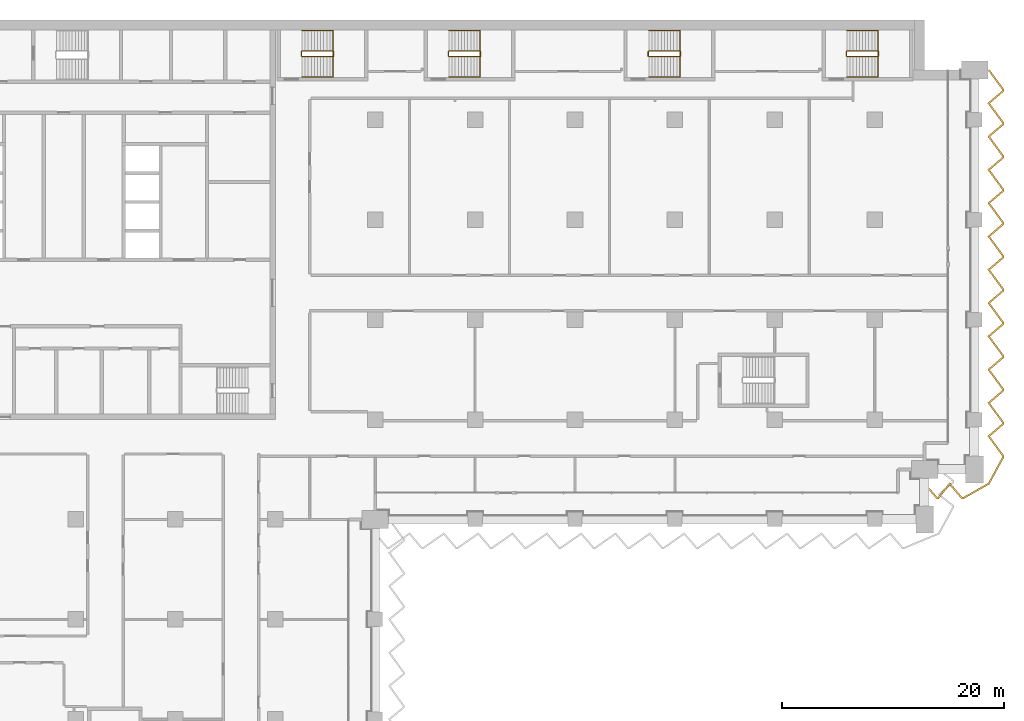
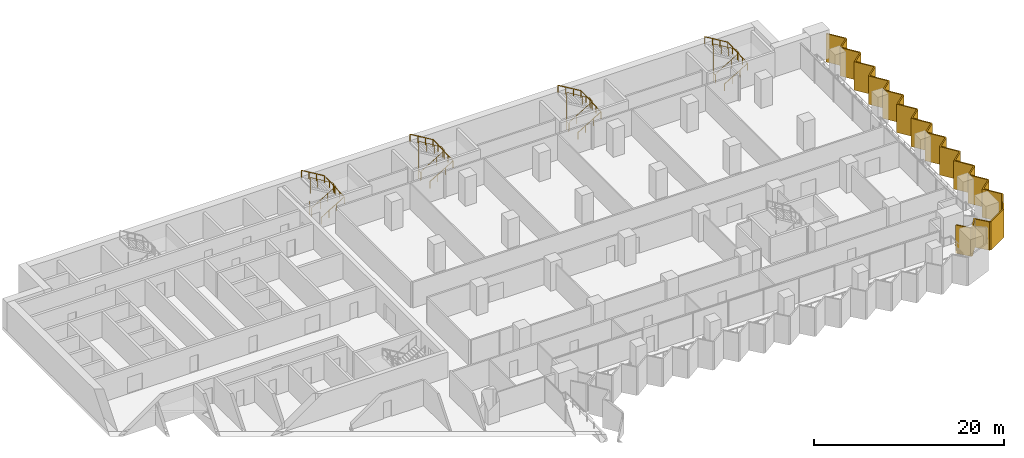
# One storey, part 28 of 29: 8 railings, 1 shading device.
"""IFC4 building model written with IfcOpenShell, lengths in metres."""

from ifc_helpers import new_model, si_unit, direction, frame, origin, origin_2d, place, context, subcontext, project, spatial, polyline, circle, outline, extrude, material, layer, layer_set, type_object, element, save


model = new_model("IFC4")

# Units and contexts
model_context = context("Model", 3, precision=1e-05, world=origin(), true_north=direction((0.0, 1.0)))
body_context = subcontext(model_context, "Body", "Model", "MODEL_VIEW")
ifc_project = project(units=[si_unit("LENGTHUNIT", "METRE"), si_unit("AREAUNIT", "SQUARE_METRE"), si_unit("VOLUMEUNIT", "CUBIC_METRE"), si_unit("PLANEANGLEUNIT", "RADIAN"), si_unit("MASSUNIT", "GRAM", prefix="KILO")], contexts=[model_context])

# Site, building, storey
site_placement = place(None, origin())
site = spatial("IfcSite", under=ifc_project, at=site_placement, CompositionType="ELEMENT")
building_placement = place(site_placement, origin())
building = spatial("IfcBuilding", under=site, at=building_placement, Name="Hunhe Ridgeline Campus", CompositionType="ELEMENT")
storey_placement = place(building_placement, frame((0.0, 0.0, 54.300048828125)))
storey = spatial("IfcBuildingStorey", under=building, at=storey_placement, Name="L12", CompositionType="ELEMENT", Elevation=54.300048828125)

# Shading device
ifc_material_1 = material(Name="Concrete C50", Category="concrete")
ifc_layer = layer(ifc_material_1, 0.14990234375)
ifc_layer_set = layer_set([ifc_layer], Name="Sawtooth concrete fin 150 Concrete C50")
shading_device_type = type_object("IfcShadingDeviceType", Name="Sawtooth concrete fin 150 Concrete C50", PredefinedType="USERDEFINED", material=ifc_layer_set)
shading_device_placement = place(storey_placement, frame((0.0, 0.0, -0.949951171875)))
element("IfcShadingDevice", 1, at=shading_device_placement, inside=storey, type_object=shading_device_type, Name="Concrete fin screen 3", ObjectType="FIN", PredefinedType="USERDEFINED", context=body_context, shape_type="SweptSolid", body=[
    extrude(outline(polyline([(94.55712890625, 57.273681640625), (94.44287109375, 57.17626953125), (95.57470703125, 55.85009765625), (95.765869140625, 55.85009765625), (96.75244140625, 57.106689453125), (97.82470703125, 55.85009765625), (97.9990234375, 55.85009765625), (100.33056640625, 57.17041015625), (101.64990234375, 59.590087890625), (101.64990234375, 59.75390625), (100.376708984375, 61.48828125), (101.64990234375, 62.57470703125), (101.64990234375, 62.75390625), (100.376708984375, 64.48828125), (101.64990234375, 65.57470703125), (101.64990234375, 65.75390625), (100.376708984375, 67.48828125), (101.64990234375, 68.57470703125), (101.64990234375, 68.75390625), (100.376708984375, 70.48828125), (101.64990234375, 71.57470703125), (101.64990234375, 71.75390625), (100.376708984375, 73.48828125), (101.64990234375, 74.57470703125), (101.64990234375, 74.75390625), (100.376708984375, 76.48828125), (101.64990234375, 77.57470703125), (101.64990234375, 77.75390625), (100.376708984375, 79.48828125), (101.64990234375, 80.57470703125), (101.64990234375, 80.75390625), (100.376708984375, 82.48828125), (101.64990234375, 83.57470703125), (101.64990234375, 83.75390625), (100.376708984375, 85.48828125), (101.64990234375, 86.57470703125), (101.64990234375, 86.75390625), (100.376708984375, 88.48828125), (101.64990234375, 89.57470703125), (101.64990234375, 89.75390625), (100.376708984375, 91.48828125), (101.64990234375, 92.57470703125), (101.64990234375, 92.75390625), (100.33544921875, 94.54443359375), (100.214599609375, 94.45556640625), (101.5, 92.704833984375), (101.5, 92.643798828125), (100.17333984375, 91.51171875), (101.5, 89.704833984375), (101.5, 89.643798828125), (100.17333984375, 88.51171875), (101.5, 86.704833984375), (101.5, 86.643798828125), (100.17333984375, 85.51171875), (101.5, 83.704833984375), (101.5, 83.643798828125), (100.17333984375, 82.51171875), (101.5, 80.704833984375), (101.5, 80.643798828125), (100.17333984375, 79.51171875), (101.5, 77.704833984375), (101.5, 77.643798828125), (100.17333984375, 76.51171875), (101.5, 74.704833984375), (101.5, 74.643798828125), (100.17333984375, 73.51171875), (101.5, 71.704833984375), (101.5, 71.643798828125), (100.17333984375, 70.51171875), (101.5, 68.704833984375), (101.5, 68.643798828125), (100.17333984375, 67.51171875), (101.5, 65.704833984375), (101.5, 65.643798828125), (100.17333984375, 64.51171875), (101.5, 62.704833984375), (101.5, 62.643798828125), (100.17333984375, 61.51171875), (101.5, 59.704833984375), (101.5, 59.62841796875), (100.219482421875, 57.27978515625), (97.95947265625, 56.0), (97.893798828125, 56.0), (96.74755859375, 57.34326171875), (95.69287109375, 56.0), (95.643798828125, 56.0), (94.55712890625, 57.273681640625)])), origin(), (0.0, 0.0, 1.0), 3.64990234375),
])

# Railings
ifc_material_2 = material(Name="Stainless steel balustrade", Category="steel")
railing_type_1 = type_object("IfcRailingType", Name="Stair guard 1100 stainless", PredefinedType="GUARDRAIL", material=ifc_material_2)
railing_1_placement = place(storey_placement, frame((38.39990234375, 95.699951171875, 0.168212890625)))
element("IfcRailing", 2, at=railing_1_placement, inside=storey, type_object=railing_type_1, Name="L12 stair E1 guard", PredefinedType="GUARDRAIL", context=body_context, shape_type="SweptSolid", body=[
    extrude(circle(Radius=0.02392578125, at=origin_2d()), frame((0.0, 0.0, 1.076171875), z_axis=(0.857275202839, 0.0, 0.514858452973), x_axis=(0.0, 1.0, 0.0)), (0.0, 0.0, 1.0), 3.26611328125),
    extrude(circle(Radius=0.02392578125, at=origin_2d()), frame((2.800048828125, 0.0, 2.7578125), z_axis=(0.707106781187, 0.707106781187, 0.0), x_axis=(-0.707106781187, 0.707106781187, 0.0)), (0.0, 0.0, 1.0), 0.07080078125),
    extrude(circle(Radius=0.02392578125, at=origin_2d()), frame((2.85009765625, 0.050048828125, 2.7578125), z_axis=(0.0, 1.0, 0.0), x_axis=(-1.0, 0.0, 0.0)), (0.0, 0.0, 1.0), 0.39990234375),
    extrude(circle(Radius=0.02392578125, at=origin_2d()), frame((2.85009765625, 0.449951171875, 2.7578125), z_axis=(-0.274243871929, 0.274243871929, 0.92172696468), x_axis=(-0.707106781187, -0.707106781187, 0.0)), (0.0, 0.0, 1.0), 0.1826171875),
    extrude(circle(Radius=0.02392578125, at=origin_2d()), frame((2.800048828125, 0.5, 2.92578125), z_axis=(-0.857242210791, 0.0, 0.514913383045), x_axis=(0.0, -1.0, 0.0)), (0.0, 0.0, 1.0), 3.266357421875),
    extrude(circle(Radius=0.02392578125, at=origin_2d()), frame((0.0, 0.5, 4.60791015625), z_axis=(-0.013458453615, -0.013524426427, -0.999817963389), x_axis=(0.708833529934, -0.705375805398, 0.0)), (0.0, 0.0, 1.0), 3.70068359375),
    extrude(circle(Radius=0.02392578125, at=origin_2d()), frame((-0.0498046875, 0.449951171875, 0.90771484375), z_axis=(0.0, -1.0, 0.0), x_axis=(1.0, 0.0, 0.0)), (0.0, 0.0, 1.0), 0.39990234375),
    extrude(circle(Radius=0.02099609375, at=origin_2d()), origin(), (0.0, 0.0, 1.0), 1.052001953125),
    extrude(circle(Radius=0.02099609375, at=origin_2d()), frame((0.933349609375, 0.0, 0.560546875)), (0.0, 0.0, 1.0), 1.052001953125),
    extrude(circle(Radius=0.02099609375, at=origin_2d()), frame((1.86669921875, 0.0, 1.12109375)), (0.0, 0.0, 1.0), 1.052001953125),
    extrude(circle(Radius=0.02099609375, at=origin_2d()), frame((2.800048828125, 0.0, 1.681640625)), (0.0, 0.0, 1.0), 1.052001953125),
    extrude(circle(Radius=0.02099609375, at=origin_2d()), frame((2.85009765625, 0.050048828125, 1.681640625)), (0.0, 0.0, 1.0), 1.052001953125),
    extrude(circle(Radius=0.02099609375, at=origin_2d()), frame((2.85009765625, 0.449951171875, 1.681640625)), (0.0, 0.0, 1.0), 1.052001953125),
    extrude(circle(Radius=0.02099609375, at=origin_2d()), frame((2.800048828125, 0.5, 1.849853515625)), (0.0, 0.0, 1.0), 1.052001953125),
    extrude(circle(Radius=0.02099609375, at=origin_2d()), frame((1.86669921875, 0.5, 2.410400390625)), (0.0, 0.0, 1.0), 1.052001953125),
    extrude(circle(Radius=0.02099609375, at=origin_2d()), frame((0.933349609375, 0.5, 2.97119140625)), (0.0, 0.0, 1.0), 1.052001953125),
    extrude(circle(Radius=0.02099609375, at=origin_2d()), frame((0.0, 0.5, 3.53173828125)), (0.0, 0.0, 1.0), 1.052001953125),
    extrude(circle(Radius=0.02099609375, at=origin_2d()), frame((-0.012451171875, 0.487548828125, 2.606689453125)), (0.0, 0.0, 1.0), 1.052001953125),
    extrude(circle(Radius=0.02099609375, at=origin_2d()), frame((-0.02490234375, 0.47509765625, 1.681640625)), (0.0, 0.0, 1.0), 1.052001953125),
    extrude(circle(Radius=0.02099609375, at=origin_2d()), frame((-0.037353515625, 0.46240234375, 0.7568359375)), (0.0, 0.0, 1.0), 1.052001953125),
    extrude(circle(Radius=0.02099609375, at=origin_2d()), frame((-0.0498046875, 0.449951171875, -0.168212890625)), (0.0, 0.0, 1.0), 1.052001953125),
    extrude(circle(Radius=0.02099609375, at=origin_2d()), frame((-0.0498046875, 0.050048828125, -0.168212890625)), (0.0, 0.0, 1.0), 1.052001953125),
])
railing_2_placement = place(storey_placement, frame((51.64990234375, 95.699951171875, 0.168212890625)))
element("IfcRailing", 3, at=railing_2_placement, inside=storey, type_object=railing_type_1, Name="L12 stair E2 guard", PredefinedType="GUARDRAIL", context=body_context, shape_type="SweptSolid", body=[
    extrude(circle(Radius=0.02392578125, at=origin_2d()), frame((0.0, 0.0, 1.076171875), z_axis=(0.857275202839, 0.0, 0.514858452973), x_axis=(0.0, 1.0, 0.0)), (0.0, 0.0, 1.0), 3.26611328125),
    extrude(circle(Radius=0.02392578125, at=origin_2d()), frame((2.800048828125, 0.0, 2.7578125), z_axis=(0.707106781187, 0.707106781187, 0.0), x_axis=(-0.707106781187, 0.707106781187, 0.0)), (0.0, 0.0, 1.0), 0.07080078125),
    extrude(circle(Radius=0.02392578125, at=origin_2d()), frame((2.85009765625, 0.050048828125, 2.7578125), z_axis=(0.0, 1.0, 0.0), x_axis=(-1.0, 0.0, 0.0)), (0.0, 0.0, 1.0), 0.39990234375),
    extrude(circle(Radius=0.02392578125, at=origin_2d()), frame((2.85009765625, 0.449951171875, 2.7578125), z_axis=(-0.274243871929, 0.274243871929, 0.92172696468), x_axis=(-0.707106781187, -0.707106781187, 0.0)), (0.0, 0.0, 1.0), 0.1826171875),
    extrude(circle(Radius=0.02392578125, at=origin_2d()), frame((2.800048828125, 0.5, 2.92578125), z_axis=(-0.857242210791, 0.0, 0.514913383045), x_axis=(0.0, -1.0, 0.0)), (0.0, 0.0, 1.0), 3.266357421875),
    extrude(circle(Radius=0.02392578125, at=origin_2d()), frame((0.0, 0.5, 4.60791015625), z_axis=(-0.013458453615, -0.013524426427, -0.999817963389), x_axis=(0.708833529934, -0.705375805398, 0.0)), (0.0, 0.0, 1.0), 3.70068359375),
    extrude(circle(Radius=0.02392578125, at=origin_2d()), frame((-0.0498046875, 0.449951171875, 0.90771484375), z_axis=(0.0, -1.0, 0.0), x_axis=(1.0, 0.0, 0.0)), (0.0, 0.0, 1.0), 0.39990234375),
    extrude(circle(Radius=0.02099609375, at=origin_2d()), origin(), (0.0, 0.0, 1.0), 1.052001953125),
    extrude(circle(Radius=0.02099609375, at=origin_2d()), frame((0.933349609375, 0.0, 0.560546875)), (0.0, 0.0, 1.0), 1.052001953125),
    extrude(circle(Radius=0.02099609375, at=origin_2d()), frame((1.86669921875, 0.0, 1.12109375)), (0.0, 0.0, 1.0), 1.052001953125),
    extrude(circle(Radius=0.02099609375, at=origin_2d()), frame((2.800048828125, 0.0, 1.681640625)), (0.0, 0.0, 1.0), 1.052001953125),
    extrude(circle(Radius=0.02099609375, at=origin_2d()), frame((2.85009765625, 0.050048828125, 1.681640625)), (0.0, 0.0, 1.0), 1.052001953125),
    extrude(circle(Radius=0.02099609375, at=origin_2d()), frame((2.85009765625, 0.449951171875, 1.681640625)), (0.0, 0.0, 1.0), 1.052001953125),
    extrude(circle(Radius=0.02099609375, at=origin_2d()), frame((2.800048828125, 0.5, 1.849853515625)), (0.0, 0.0, 1.0), 1.052001953125),
    extrude(circle(Radius=0.02099609375, at=origin_2d()), frame((1.86669921875, 0.5, 2.410400390625)), (0.0, 0.0, 1.0), 1.052001953125),
    extrude(circle(Radius=0.02099609375, at=origin_2d()), frame((0.933349609375, 0.5, 2.97119140625)), (0.0, 0.0, 1.0), 1.052001953125),
    extrude(circle(Radius=0.02099609375, at=origin_2d()), frame((0.0, 0.5, 3.53173828125)), (0.0, 0.0, 1.0), 1.052001953125),
    extrude(circle(Radius=0.02099609375, at=origin_2d()), frame((-0.012451171875, 0.487548828125, 2.606689453125)), (0.0, 0.0, 1.0), 1.052001953125),
    extrude(circle(Radius=0.02099609375, at=origin_2d()), frame((-0.02490234375, 0.47509765625, 1.681640625)), (0.0, 0.0, 1.0), 1.052001953125),
    extrude(circle(Radius=0.02099609375, at=origin_2d()), frame((-0.037353515625, 0.46240234375, 0.7568359375)), (0.0, 0.0, 1.0), 1.052001953125),
    extrude(circle(Radius=0.02099609375, at=origin_2d()), frame((-0.0498046875, 0.449951171875, -0.168212890625)), (0.0, 0.0, 1.0), 1.052001953125),
    extrude(circle(Radius=0.02099609375, at=origin_2d()), frame((-0.0498046875, 0.050048828125, -0.168212890625)), (0.0, 0.0, 1.0), 1.052001953125),
])
railing_3_placement = place(storey_placement, frame((69.64990234375, 95.699951171875, 0.168212890625)))
element("IfcRailing", 4, at=railing_3_placement, inside=storey, type_object=railing_type_1, Name="L12 stair E3 guard", PredefinedType="GUARDRAIL", context=body_context, shape_type="SweptSolid", body=[
    extrude(circle(Radius=0.02392578125, at=origin_2d()), frame((0.0, 0.0, 1.076171875), z_axis=(0.857275202839, 0.0, 0.514858452973), x_axis=(0.0, 1.0, 0.0)), (0.0, 0.0, 1.0), 3.26611328125),
    extrude(circle(Radius=0.02392578125, at=origin_2d()), frame((2.800048828125, 0.0, 2.7578125), z_axis=(0.707106781187, 0.707106781187, 0.0), x_axis=(-0.707106781187, 0.707106781187, 0.0)), (0.0, 0.0, 1.0), 0.07080078125),
    extrude(circle(Radius=0.02392578125, at=origin_2d()), frame((2.85009765625, 0.050048828125, 2.7578125), z_axis=(0.0, 1.0, 0.0), x_axis=(-1.0, 0.0, 0.0)), (0.0, 0.0, 1.0), 0.39990234375),
    extrude(circle(Radius=0.02392578125, at=origin_2d()), frame((2.85009765625, 0.449951171875, 2.7578125), z_axis=(-0.274243871929, 0.274243871929, 0.92172696468), x_axis=(-0.707106781187, -0.707106781187, 0.0)), (0.0, 0.0, 1.0), 0.1826171875),
    extrude(circle(Radius=0.02392578125, at=origin_2d()), frame((2.800048828125, 0.5, 2.92578125), z_axis=(-0.857242210791, 0.0, 0.514913383045), x_axis=(0.0, -1.0, 0.0)), (0.0, 0.0, 1.0), 3.266357421875),
    extrude(circle(Radius=0.02392578125, at=origin_2d()), frame((0.0, 0.5, 4.60791015625), z_axis=(-0.013458453615, -0.013524426427, -0.999817963389), x_axis=(0.708833529934, -0.705375805398, 0.0)), (0.0, 0.0, 1.0), 3.70068359375),
    extrude(circle(Radius=0.02392578125, at=origin_2d()), frame((-0.0498046875, 0.449951171875, 0.90771484375), z_axis=(0.0, -1.0, 0.0), x_axis=(1.0, 0.0, 0.0)), (0.0, 0.0, 1.0), 0.39990234375),
    extrude(circle(Radius=0.02099609375, at=origin_2d()), origin(), (0.0, 0.0, 1.0), 1.052001953125),
    extrude(circle(Radius=0.02099609375, at=origin_2d()), frame((0.933349609375, 0.0, 0.560546875)), (0.0, 0.0, 1.0), 1.052001953125),
    extrude(circle(Radius=0.02099609375, at=origin_2d()), frame((1.86669921875, 0.0, 1.12109375)), (0.0, 0.0, 1.0), 1.052001953125),
    extrude(circle(Radius=0.02099609375, at=origin_2d()), frame((2.800048828125, 0.0, 1.681640625)), (0.0, 0.0, 1.0), 1.052001953125),
    extrude(circle(Radius=0.02099609375, at=origin_2d()), frame((2.85009765625, 0.050048828125, 1.681640625)), (0.0, 0.0, 1.0), 1.052001953125),
    extrude(circle(Radius=0.02099609375, at=origin_2d()), frame((2.85009765625, 0.449951171875, 1.681640625)), (0.0, 0.0, 1.0), 1.052001953125),
    extrude(circle(Radius=0.02099609375, at=origin_2d()), frame((2.800048828125, 0.5, 1.849853515625)), (0.0, 0.0, 1.0), 1.052001953125),
    extrude(circle(Radius=0.02099609375, at=origin_2d()), frame((1.86669921875, 0.5, 2.410400390625)), (0.0, 0.0, 1.0), 1.052001953125),
    extrude(circle(Radius=0.02099609375, at=origin_2d()), frame((0.933349609375, 0.5, 2.97119140625)), (0.0, 0.0, 1.0), 1.052001953125),
    extrude(circle(Radius=0.02099609375, at=origin_2d()), frame((0.0, 0.5, 3.53173828125)), (0.0, 0.0, 1.0), 1.052001953125),
    extrude(circle(Radius=0.02099609375, at=origin_2d()), frame((-0.012451171875, 0.487548828125, 2.606689453125)), (0.0, 0.0, 1.0), 1.052001953125),
    extrude(circle(Radius=0.02099609375, at=origin_2d()), frame((-0.02490234375, 0.47509765625, 1.681640625)), (0.0, 0.0, 1.0), 1.052001953125),
    extrude(circle(Radius=0.02099609375, at=origin_2d()), frame((-0.037353515625, 0.46240234375, 0.7568359375)), (0.0, 0.0, 1.0), 1.052001953125),
    extrude(circle(Radius=0.02099609375, at=origin_2d()), frame((-0.0498046875, 0.449951171875, -0.168212890625)), (0.0, 0.0, 1.0), 1.052001953125),
    extrude(circle(Radius=0.02099609375, at=origin_2d()), frame((-0.0498046875, 0.050048828125, -0.168212890625)), (0.0, 0.0, 1.0), 1.052001953125),
])
railing_4_placement = place(storey_placement, frame((87.5, 95.699951171875, 0.168212890625)))
element("IfcRailing", 5, at=railing_4_placement, inside=storey, type_object=railing_type_1, Name="L12 stair E4 guard", PredefinedType="GUARDRAIL", context=body_context, shape_type="SweptSolid", body=[
    extrude(circle(Radius=0.02392578125, at=origin_2d()), frame((0.0, 0.0, 1.076171875), z_axis=(0.857275202839, 0.0, 0.514858452973), x_axis=(0.0, 1.0, 0.0)), (0.0, 0.0, 1.0), 3.26611328125),
    extrude(circle(Radius=0.02392578125, at=origin_2d()), frame((2.800048828125, 0.0, 2.7578125), z_axis=(0.707106781187, 0.707106781187, 0.0), x_axis=(-0.707106781187, 0.707106781187, 0.0)), (0.0, 0.0, 1.0), 0.07080078125),
    extrude(circle(Radius=0.02392578125, at=origin_2d()), frame((2.85009765625, 0.050048828125, 2.7578125), z_axis=(0.0, 1.0, 0.0), x_axis=(-1.0, 0.0, 0.0)), (0.0, 0.0, 1.0), 0.39990234375),
    extrude(circle(Radius=0.02392578125, at=origin_2d()), frame((2.85009765625, 0.449951171875, 2.7578125), z_axis=(-0.274243871929, 0.274243871929, 0.92172696468), x_axis=(-0.707106781187, -0.707106781187, 0.0)), (0.0, 0.0, 1.0), 0.1826171875),
    extrude(circle(Radius=0.02392578125, at=origin_2d()), frame((2.800048828125, 0.5, 2.92578125), z_axis=(-0.857242210791, 0.0, 0.514913383045), x_axis=(0.0, -1.0, 0.0)), (0.0, 0.0, 1.0), 3.266357421875),
    extrude(circle(Radius=0.02392578125, at=origin_2d()), frame((0.0, 0.5, 4.60791015625), z_axis=(-0.013524414389, -0.013524414389, -0.999817073484), x_axis=(0.707106781187, -0.707106781187, 0.0)), (0.0, 0.0, 1.0), 3.70068359375),
    extrude(circle(Radius=0.02392578125, at=origin_2d()), frame((-0.050048828125, 0.449951171875, 0.90771484375), z_axis=(0.0, -1.0, 0.0), x_axis=(1.0, 0.0, 0.0)), (0.0, 0.0, 1.0), 0.39990234375),
    extrude(circle(Radius=0.02099609375, at=origin_2d()), origin(), (0.0, 0.0, 1.0), 1.052001953125),
    extrude(circle(Radius=0.02099609375, at=origin_2d()), frame((0.933349609375, 0.0, 0.560546875)), (0.0, 0.0, 1.0), 1.052001953125),
    extrude(circle(Radius=0.02099609375, at=origin_2d()), frame((1.86669921875, 0.0, 1.12109375)), (0.0, 0.0, 1.0), 1.052001953125),
    extrude(circle(Radius=0.02099609375, at=origin_2d()), frame((2.800048828125, 0.0, 1.681640625)), (0.0, 0.0, 1.0), 1.052001953125),
    extrude(circle(Radius=0.02099609375, at=origin_2d()), frame((2.85009765625, 0.050048828125, 1.681640625)), (0.0, 0.0, 1.0), 1.052001953125),
    extrude(circle(Radius=0.02099609375, at=origin_2d()), frame((2.85009765625, 0.449951171875, 1.681640625)), (0.0, 0.0, 1.0), 1.052001953125),
    extrude(circle(Radius=0.02099609375, at=origin_2d()), frame((2.800048828125, 0.5, 1.849853515625)), (0.0, 0.0, 1.0), 1.052001953125),
    extrude(circle(Radius=0.02099609375, at=origin_2d()), frame((1.86669921875, 0.5, 2.410400390625)), (0.0, 0.0, 1.0), 1.052001953125),
    extrude(circle(Radius=0.02099609375, at=origin_2d()), frame((0.933349609375, 0.5, 2.97119140625)), (0.0, 0.0, 1.0), 1.052001953125),
    extrude(circle(Radius=0.02099609375, at=origin_2d()), frame((0.0, 0.5, 3.53173828125)), (0.0, 0.0, 1.0), 1.052001953125),
    extrude(circle(Radius=0.02099609375, at=origin_2d()), frame((-0.012451171875, 0.487548828125, 2.606689453125)), (0.0, 0.0, 1.0), 1.052001953125),
    extrude(circle(Radius=0.02099609375, at=origin_2d()), frame((-0.02490234375, 0.47509765625, 1.681640625)), (0.0, 0.0, 1.0), 1.052001953125),
    extrude(circle(Radius=0.02099609375, at=origin_2d()), frame((-0.03759765625, 0.46240234375, 0.7568359375)), (0.0, 0.0, 1.0), 1.052001953125),
    extrude(circle(Radius=0.02099609375, at=origin_2d()), frame((-0.050048828125, 0.449951171875, -0.168212890625)), (0.0, 0.0, 1.0), 1.052001953125),
    extrude(circle(Radius=0.02099609375, at=origin_2d()), frame((-0.050048828125, 0.050048828125, -0.168212890625)), (0.0, 0.0, 1.0), 1.052001953125),
])
ifc_material_3 = material(Name="Stainless steel handrail", Category="steel")
railing_type_2 = type_object("IfcRailingType", Name="Stair handrail 900 stainless", PredefinedType="HANDRAIL", material=ifc_material_3)
railing_5_placement = place(storey_placement, frame((38.39990234375, 93.85009765625, 0.168212890625)))
element("IfcRailing", 6, at=railing_5_placement, inside=storey, type_object=railing_type_2, Name="L12 stair E1 handrail", PredefinedType="HANDRAIL", context=body_context, shape_type="SweptSolid", body=[
    extrude(circle(Radius=0.02392578125, at=origin_2d()), frame((0.0, 0.0, 0.8759765625), z_axis=(0.857275202839, 0.0, 0.514858452973), x_axis=(0.0, 1.0, 0.0)), (0.0, 0.0, 1.0), 3.26611328125),
    extrude(circle(Radius=0.02392578125, at=origin_2d()), frame((2.800048828125, 0.0, 2.5576171875), z_axis=(0.0, 0.999198916169, 0.040019069537), x_axis=(-1.0, 0.0, 0.0)), (0.0, 0.0, 1.0), 4.203369140625),
    extrude(circle(Radius=0.02392578125, at=origin_2d()), frame((2.800048828125, 4.199951171875, 2.7255859375), z_axis=(-0.857242210791, 0.0, 0.514913383045), x_axis=(0.0, -1.0, 0.0)), (0.0, 0.0, 1.0), 3.266357421875),
    extrude(circle(Radius=0.02099609375, at=origin_2d()), origin(), (0.0, 0.0, 1.0), 0.851806640625),
    extrude(circle(Radius=0.02099609375, at=origin_2d()), frame((0.933349609375, 0.0, 0.560546875)), (0.0, 0.0, 1.0), 0.851806640625),
    extrude(circle(Radius=0.02099609375, at=origin_2d()), frame((1.86669921875, 0.0, 1.12109375)), (0.0, 0.0, 1.0), 0.851806640625),
    extrude(circle(Radius=0.02099609375, at=origin_2d()), frame((2.800048828125, 0.0, 1.681640625)), (0.0, 0.0, 1.0), 0.851806640625),
    extrude(circle(Radius=0.02099609375, at=origin_2d()), frame((2.800048828125, 1.050048828125, 1.7236328125)), (0.0, 0.0, 1.0), 0.851806640625),
    extrude(circle(Radius=0.02099609375, at=origin_2d()), frame((2.800048828125, 2.10009765625, 1.765625)), (0.0, 0.0, 1.0), 0.851806640625),
    extrude(circle(Radius=0.02099609375, at=origin_2d()), frame((2.800048828125, 3.14990234375, 1.807861328125)), (0.0, 0.0, 1.0), 0.851806640625),
    extrude(circle(Radius=0.02099609375, at=origin_2d()), frame((2.800048828125, 4.199951171875, 1.849853515625)), (0.0, 0.0, 1.0), 0.851806640625),
    extrude(circle(Radius=0.02099609375, at=origin_2d()), frame((1.86669921875, 4.199951171875, 2.410400390625)), (0.0, 0.0, 1.0), 0.851806640625),
    extrude(circle(Radius=0.02099609375, at=origin_2d()), frame((0.933349609375, 4.199951171875, 2.97119140625)), (0.0, 0.0, 1.0), 0.851806640625),
    extrude(circle(Radius=0.02099609375, at=origin_2d()), frame((0.0, 4.199951171875, 3.53173828125)), (0.0, 0.0, 1.0), 0.851806640625),
])
railing_6_placement = place(storey_placement, frame((51.64990234375, 93.85009765625, 0.168212890625)))
element("IfcRailing", 7, at=railing_6_placement, inside=storey, type_object=railing_type_2, Name="L12 stair E2 handrail", PredefinedType="HANDRAIL", context=body_context, shape_type="SweptSolid", body=[
    extrude(circle(Radius=0.02392578125, at=origin_2d()), frame((0.0, 0.0, 0.8759765625), z_axis=(0.857275202839, 0.0, 0.514858452973), x_axis=(0.0, 1.0, 0.0)), (0.0, 0.0, 1.0), 3.26611328125),
    extrude(circle(Radius=0.02392578125, at=origin_2d()), frame((2.800048828125, 0.0, 2.5576171875), z_axis=(0.0, 0.999198916169, 0.040019069537), x_axis=(-1.0, 0.0, 0.0)), (0.0, 0.0, 1.0), 4.203369140625),
    extrude(circle(Radius=0.02392578125, at=origin_2d()), frame((2.800048828125, 4.199951171875, 2.7255859375), z_axis=(-0.857242210791, 0.0, 0.514913383045), x_axis=(0.0, -1.0, 0.0)), (0.0, 0.0, 1.0), 3.266357421875),
    extrude(circle(Radius=0.02099609375, at=origin_2d()), origin(), (0.0, 0.0, 1.0), 0.851806640625),
    extrude(circle(Radius=0.02099609375, at=origin_2d()), frame((0.933349609375, 0.0, 0.560546875)), (0.0, 0.0, 1.0), 0.851806640625),
    extrude(circle(Radius=0.02099609375, at=origin_2d()), frame((1.86669921875, 0.0, 1.12109375)), (0.0, 0.0, 1.0), 0.851806640625),
    extrude(circle(Radius=0.02099609375, at=origin_2d()), frame((2.800048828125, 0.0, 1.681640625)), (0.0, 0.0, 1.0), 0.851806640625),
    extrude(circle(Radius=0.02099609375, at=origin_2d()), frame((2.800048828125, 1.050048828125, 1.7236328125)), (0.0, 0.0, 1.0), 0.851806640625),
    extrude(circle(Radius=0.02099609375, at=origin_2d()), frame((2.800048828125, 2.10009765625, 1.765625)), (0.0, 0.0, 1.0), 0.851806640625),
    extrude(circle(Radius=0.02099609375, at=origin_2d()), frame((2.800048828125, 3.14990234375, 1.807861328125)), (0.0, 0.0, 1.0), 0.851806640625),
    extrude(circle(Radius=0.02099609375, at=origin_2d()), frame((2.800048828125, 4.199951171875, 1.849853515625)), (0.0, 0.0, 1.0), 0.851806640625),
    extrude(circle(Radius=0.02099609375, at=origin_2d()), frame((1.86669921875, 4.199951171875, 2.410400390625)), (0.0, 0.0, 1.0), 0.851806640625),
    extrude(circle(Radius=0.02099609375, at=origin_2d()), frame((0.933349609375, 4.199951171875, 2.97119140625)), (0.0, 0.0, 1.0), 0.851806640625),
    extrude(circle(Radius=0.02099609375, at=origin_2d()), frame((0.0, 4.199951171875, 3.53173828125)), (0.0, 0.0, 1.0), 0.851806640625),
])
railing_7_placement = place(storey_placement, frame((69.64990234375, 93.85009765625, 0.168212890625)))
element("IfcRailing", 8, at=railing_7_placement, inside=storey, type_object=railing_type_2, Name="L12 stair E3 handrail", PredefinedType="HANDRAIL", context=body_context, shape_type="SweptSolid", body=[
    extrude(circle(Radius=0.02392578125, at=origin_2d()), frame((0.0, 0.0, 0.8759765625), z_axis=(0.857275202839, 0.0, 0.514858452973), x_axis=(0.0, 1.0, 0.0)), (0.0, 0.0, 1.0), 3.26611328125),
    extrude(circle(Radius=0.02392578125, at=origin_2d()), frame((2.800048828125, 0.0, 2.5576171875), z_axis=(0.0, 0.999198916169, 0.040019069537), x_axis=(-1.0, 0.0, 0.0)), (0.0, 0.0, 1.0), 4.203369140625),
    extrude(circle(Radius=0.02392578125, at=origin_2d()), frame((2.800048828125, 4.199951171875, 2.7255859375), z_axis=(-0.857242210791, 0.0, 0.514913383045), x_axis=(0.0, -1.0, 0.0)), (0.0, 0.0, 1.0), 3.266357421875),
    extrude(circle(Radius=0.02099609375, at=origin_2d()), origin(), (0.0, 0.0, 1.0), 0.851806640625),
    extrude(circle(Radius=0.02099609375, at=origin_2d()), frame((0.933349609375, 0.0, 0.560546875)), (0.0, 0.0, 1.0), 0.851806640625),
    extrude(circle(Radius=0.02099609375, at=origin_2d()), frame((1.86669921875, 0.0, 1.12109375)), (0.0, 0.0, 1.0), 0.851806640625),
    extrude(circle(Radius=0.02099609375, at=origin_2d()), frame((2.800048828125, 0.0, 1.681640625)), (0.0, 0.0, 1.0), 0.851806640625),
    extrude(circle(Radius=0.02099609375, at=origin_2d()), frame((2.800048828125, 1.050048828125, 1.7236328125)), (0.0, 0.0, 1.0), 0.851806640625),
    extrude(circle(Radius=0.02099609375, at=origin_2d()), frame((2.800048828125, 2.10009765625, 1.765625)), (0.0, 0.0, 1.0), 0.851806640625),
    extrude(circle(Radius=0.02099609375, at=origin_2d()), frame((2.800048828125, 3.14990234375, 1.807861328125)), (0.0, 0.0, 1.0), 0.851806640625),
    extrude(circle(Radius=0.02099609375, at=origin_2d()), frame((2.800048828125, 4.199951171875, 1.849853515625)), (0.0, 0.0, 1.0), 0.851806640625),
    extrude(circle(Radius=0.02099609375, at=origin_2d()), frame((1.86669921875, 4.199951171875, 2.410400390625)), (0.0, 0.0, 1.0), 0.851806640625),
    extrude(circle(Radius=0.02099609375, at=origin_2d()), frame((0.933349609375, 4.199951171875, 2.97119140625)), (0.0, 0.0, 1.0), 0.851806640625),
    extrude(circle(Radius=0.02099609375, at=origin_2d()), frame((0.0, 4.199951171875, 3.53173828125)), (0.0, 0.0, 1.0), 0.851806640625),
])
railing_8_placement = place(storey_placement, frame((87.5, 93.85009765625, 0.168212890625)))
element("IfcRailing", 9, at=railing_8_placement, inside=storey, type_object=railing_type_2, Name="L12 stair E4 handrail", PredefinedType="HANDRAIL", context=body_context, shape_type="SweptSolid", body=[
    extrude(circle(Radius=0.02392578125, at=origin_2d()), frame((0.0, 0.0, 0.8759765625), z_axis=(0.857275202839, 0.0, 0.514858452973), x_axis=(0.0, 1.0, 0.0)), (0.0, 0.0, 1.0), 3.26611328125),
    extrude(circle(Radius=0.02392578125, at=origin_2d()), frame((2.800048828125, 0.0, 2.5576171875), z_axis=(0.0, 0.999198916169, 0.040019069537), x_axis=(-1.0, 0.0, 0.0)), (0.0, 0.0, 1.0), 4.203369140625),
    extrude(circle(Radius=0.02392578125, at=origin_2d()), frame((2.800048828125, 4.199951171875, 2.7255859375), z_axis=(-0.857242210791, 0.0, 0.514913383045), x_axis=(0.0, -1.0, 0.0)), (0.0, 0.0, 1.0), 3.266357421875),
    extrude(circle(Radius=0.02099609375, at=origin_2d()), origin(), (0.0, 0.0, 1.0), 0.851806640625),
    extrude(circle(Radius=0.02099609375, at=origin_2d()), frame((0.933349609375, 0.0, 0.560546875)), (0.0, 0.0, 1.0), 0.851806640625),
    extrude(circle(Radius=0.02099609375, at=origin_2d()), frame((1.86669921875, 0.0, 1.12109375)), (0.0, 0.0, 1.0), 0.851806640625),
    extrude(circle(Radius=0.02099609375, at=origin_2d()), frame((2.800048828125, 0.0, 1.681640625)), (0.0, 0.0, 1.0), 0.851806640625),
    extrude(circle(Radius=0.02099609375, at=origin_2d()), frame((2.800048828125, 1.050048828125, 1.7236328125)), (0.0, 0.0, 1.0), 0.851806640625),
    extrude(circle(Radius=0.02099609375, at=origin_2d()), frame((2.800048828125, 2.10009765625, 1.765625)), (0.0, 0.0, 1.0), 0.851806640625),
    extrude(circle(Radius=0.02099609375, at=origin_2d()), frame((2.800048828125, 3.14990234375, 1.807861328125)), (0.0, 0.0, 1.0), 0.851806640625),
    extrude(circle(Radius=0.02099609375, at=origin_2d()), frame((2.800048828125, 4.199951171875, 1.849853515625)), (0.0, 0.0, 1.0), 0.851806640625),
    extrude(circle(Radius=0.02099609375, at=origin_2d()), frame((1.86669921875, 4.199951171875, 2.410400390625)), (0.0, 0.0, 1.0), 0.851806640625),
    extrude(circle(Radius=0.02099609375, at=origin_2d()), frame((0.933349609375, 4.199951171875, 2.97119140625)), (0.0, 0.0, 1.0), 0.851806640625),
    extrude(circle(Radius=0.02099609375, at=origin_2d()), frame((0.0, 4.199951171875, 3.53173828125)), (0.0, 0.0, 1.0), 0.851806640625),
])

save(model, "model.ifc")
